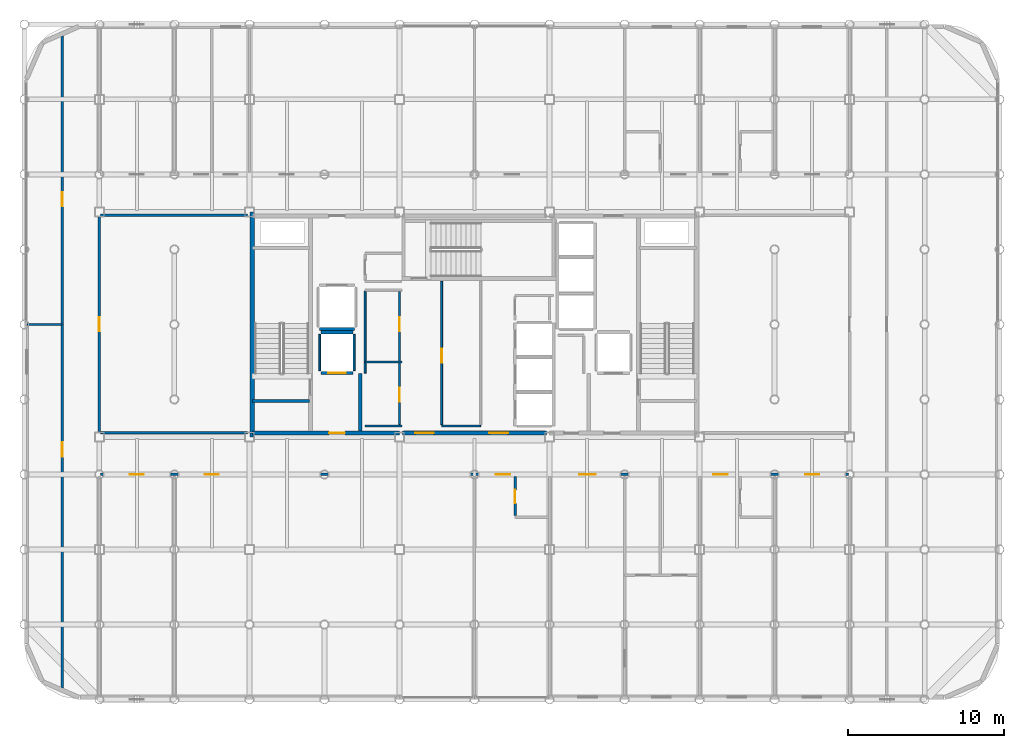
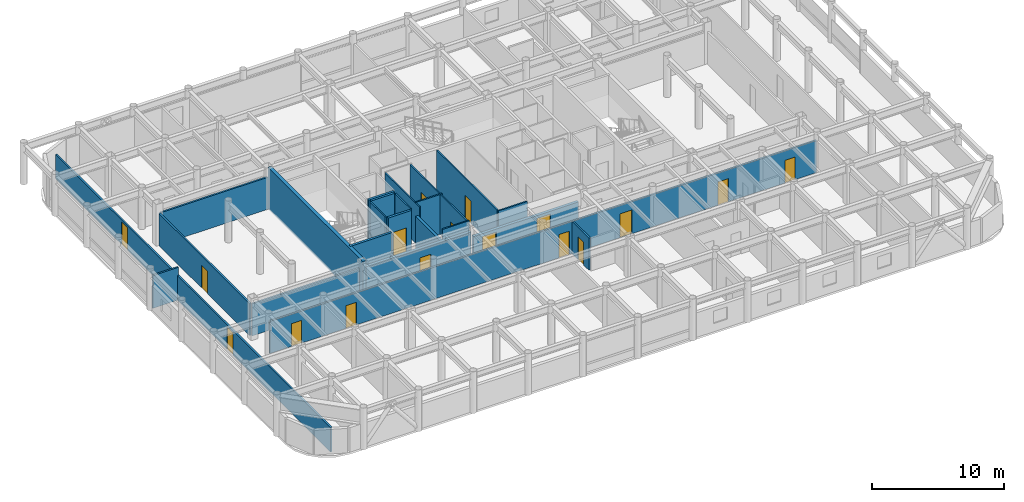
# One storey, part 17 of 22: 23 walls, 17 doors, 17 openings.
"""IFC4 building model written with IfcOpenShell, lengths in metres."""

from ifc_helpers import new_model, si_unit, direction, frame, frame_2d, origin, place, context, subcontext, project, spatial, rectangle, extrude, material, layer, layer_set, type_object, element, fill, save


model = new_model("IFC4")

# Units and contexts
model_context = context("Model", 3, precision=1e-05, world=origin(), true_north=direction((0.0, 1.0)))
body_context = subcontext(model_context, "Body", "Model", "MODEL_VIEW")
ifc_project = project(units=[si_unit("LENGTHUNIT", "METRE"), si_unit("AREAUNIT", "SQUARE_METRE"), si_unit("VOLUMEUNIT", "CUBIC_METRE"), si_unit("PLANEANGLEUNIT", "RADIAN"), si_unit("MASSUNIT", "GRAM", prefix="KILO")], contexts=[model_context])

# Site, building, storey
site_placement = place(None, origin())
site = spatial("IfcSite", under=ifc_project, at=site_placement, CompositionType="ELEMENT")
building_placement = place(site_placement, origin())
building = spatial("IfcBuilding", under=site, at=building_placement, Name="Kallvorn Hotel Tower", CompositionType="ELEMENT")
storey_placement = place(building_placement, frame((0.0, 0.0, 206.89990234375)))
storey = spatial("IfcBuildingStorey", under=building, at=storey_placement, Name="L51", CompositionType="ELEMENT", Elevation=206.89990234375)

# Wall
ifc_material_1 = material(Name="Concrete C50/60", Category="concrete")
ifc_layer_1 = layer(ifc_material_1, 0.300048828125)
ifc_layer_set_1 = layer_set([ifc_layer_1], Name="WL_CORE_300")
wall_type_1 = type_object("IfcWallType", Name="WL_CORE_300", PredefinedType="SHEAR", material=ifc_layer_set_1)
wall_1_placement = place(storey_placement, frame((-14.215087890625, -7.199951171875, -0.179931640625), z_axis=(0.0, 0.0, 1.0), x_axis=(0.0, 1.0, 0.0)))
element("IfcWall", 1, at=wall_1_placement, inside=storey, type_object=wall_type_1, Name="L51 Core West Shear Wall", PredefinedType="SHEAR", context=body_context, shape_type="SweptSolid", body=[
    extrude(rectangle(XDim=14.39990234375, YDim=0.300048828125, at=frame_2d((7.199951171875, 0.0))), origin(), (0.0, 0.0, 1.0), 3.85009765625),
])

# Wall, openings, doors
ifc_material_2 = material(Name="Fire-rated double-layer acoustic gypsum drywall EI 60")
ifc_layer_2 = layer(ifc_material_2, 0.159912109375)
ifc_layer_set_2 = layer_set([ifc_layer_2], Name="WL_DEMISE_160")
wall_type_2 = type_object("IfcWallType", Name="WL_DEMISE_160", PredefinedType="PARTITIONING", material=ifc_layer_set_2)
wall_2_placement = place(storey_placement, frame((-23.919921875, -9.60009765625, 0.0), z_axis=(0.0, 0.0, 1.0), x_axis=(1.0, 0.0, 0.0)))
wall_2 = element("IfcWall", 2, at=wall_2_placement, inside=storey, type_object=wall_type_2, Name="L51 Suite 5101 Deluxe King Room Partition", PredefinedType="PARTITIONING", context=body_context, shape_type="SweptSolid", body=[
    extrude(rectangle(XDim=47.83984375, YDim=0.159912109375, at=frame_2d((23.919921875, 0.0))), origin(), (0.0, 0.0, 1.0), 2.97021484375),
])
opening_1_placement = place(wall_2_placement, frame((1.8701171875, 0.0, 0.0)))
opening_1 = element("IfcOpeningElement", 3, at=opening_1_placement, cuts=wall_2, Name="Opening SVD1", PredefinedType="OPENING", context=body_context, shape_type="SweptSolid", body=[
    extrude(rectangle(XDim=0.89990234375, YDim=2.10009765625, at=frame_2d((0.449951171875, 1.050048828125))), frame((0.0, 0.094970703125, 0.0), z_axis=(0.0, -1.0, 0.0), x_axis=(1.0, 0.0, 0.0)), (0.0, 0.0, 1.0), 0.18994140625),
])
opening_2_placement = place(wall_2_placement, frame((45.070068359375, 0.0, 0.0)))
opening_2 = element("IfcOpeningElement", 4, at=opening_2_placement, cuts=wall_2, Name="Opening SVD1", PredefinedType="OPENING", context=body_context, shape_type="SweptSolid", body=[
    extrude(rectangle(XDim=0.89990234375, YDim=2.10009765625, at=frame_2d((0.449951171875, 1.050048828125))), frame((0.0, 0.094970703125, 0.0), z_axis=(0.0, -1.0, 0.0), x_axis=(1.0, 0.0, 0.0)), (0.0, 0.0, 1.0), 0.18994140625),
])
opening_3_placement = place(wall_2_placement, frame((6.669921875, 0.0, 0.0)))
opening_3 = element("IfcOpeningElement", 5, at=opening_3_placement, cuts=wall_2, Name="Opening SVD1", PredefinedType="OPENING", context=body_context, shape_type="SweptSolid", body=[
    extrude(rectangle(XDim=0.89990234375, YDim=2.10009765625, at=frame_2d((0.449951171875, 1.050048828125))), frame((0.0, 0.094970703125, 0.0), z_axis=(0.0, -1.0, 0.0), x_axis=(1.0, 0.0, 0.0)), (0.0, 0.0, 1.0), 0.18994140625),
])
opening_4_placement = place(wall_2_placement, frame((25.2900390625, 0.0, 0.0)))
opening_4 = element("IfcOpeningElement", 6, at=opening_4_placement, cuts=wall_2, Name="Opening GD1", PredefinedType="OPENING", context=body_context, shape_type="SweptSolid", body=[
    extrude(rectangle(XDim=0.919921875, YDim=2.14990234375, at=frame_2d((0.4599609375, 1.074951171875))), frame((0.0, 0.094970703125, 0.0), z_axis=(0.0, -1.0, 0.0), x_axis=(1.0, 0.0, 0.0)), (0.0, 0.0, 1.0), 0.18994140625),
])
opening_5_placement = place(wall_2_placement, frame((30.635009765625, 0.0, 0.0)))
opening_5 = element("IfcOpeningElement", 7, at=opening_5_placement, cuts=wall_2, Name="Opening GD2", PredefinedType="OPENING", context=body_context, shape_type="SweptSolid", body=[
    extrude(rectangle(XDim=1.050048828125, YDim=2.199951171875, at=frame_2d((0.52490234375, 1.10009765625))), frame((0.0, 0.094970703125, 0.0), z_axis=(0.0, -1.0, 0.0), x_axis=(1.0, 0.0, 0.0)), (0.0, 0.0, 1.0), 0.18994140625),
])
opening_6_placement = place(wall_2_placement, frame((39.195068359375, 0.0, 0.0)))
opening_6 = element("IfcOpeningElement", 8, at=opening_6_placement, cuts=wall_2, Name="Opening GD1", PredefinedType="OPENING", context=body_context, shape_type="SweptSolid", body=[
    extrude(rectangle(XDim=0.919921875, YDim=2.14990234375, at=frame_2d((0.4599609375, 1.074951171875))), frame((0.0, 0.094970703125, 0.0), z_axis=(0.0, -1.0, 0.0), x_axis=(1.0, 0.0, 0.0)), (0.0, 0.0, 1.0), 0.18994140625),
])
ifc_material_3 = material(Name="Solid-core walnut veneer fire-rated timber door leaf", Category="wood")
door_type_1 = type_object("IfcDoorType", Name="DR_GUEST_920x2150", OperationType="NOTDEFINED", PredefinedType="DOOR", material=ifc_material_3)
door_1_placement = place(opening_4_placement, origin())
door_1 = element("IfcDoor", 9, at=door_1_placement, inside=storey, type_object=door_type_1, Name="L51 Suite 5101 Deluxe King Room Door", OperationType="SINGLE_SWING_LEFT", OverallHeight=2.14990234375, OverallWidth=0.919921875, PredefinedType="DOOR", context=body_context, shape_type="SweptSolid", body=[
    extrude(rectangle(XDim=0.919921875, YDim=2.14990234375, at=frame_2d((0.4599609375, 1.074951171875))), frame((0.0, 0.02490234375, 0.0), z_axis=(0.0, -1.0, 0.0), x_axis=(1.0, 0.0, 0.0)), (0.0, 0.0, 1.0), 0.050048828125),
])
fill(opening_4, door_1)
door_2_placement = place(opening_6_placement, origin())
door_2 = element("IfcDoor", 10, at=door_2_placement, inside=storey, type_object=door_type_1, Name="L51 Suite 5103 Superior Twin Room Door", OperationType="SINGLE_SWING_RIGHT", OverallHeight=2.14990234375, OverallWidth=0.919921875, PredefinedType="DOOR", context=body_context, shape_type="SweptSolid", body=[
    extrude(rectangle(XDim=0.919921875, YDim=2.14990234375, at=frame_2d((0.4599609375, 1.074951171875))), frame((0.0, 0.02490234375, 0.0), z_axis=(0.0, -1.0, 0.0), x_axis=(1.0, 0.0, 0.0)), (0.0, 0.0, 1.0), 0.050048828125),
])
fill(opening_6, door_2)
ifc_material_4 = material(Name="Galvanised painted steel fire-rated door assembly", Category="steel")
door_type_2 = type_object("IfcDoorType", Name="DR_SERV_900x2100", OperationType="NOTDEFINED", PredefinedType="DOOR", material=ifc_material_4)
door_3_placement = place(opening_1_placement, origin())
door_3 = element("IfcDoor", 11, at=door_3_placement, inside=storey, type_object=door_type_2, Name="L51 L51 High-Zone South-West Tea Bar Door", OperationType="SINGLE_SWING_LEFT", OverallHeight=2.10009765625, OverallWidth=0.89990234375, PredefinedType="DOOR", context=body_context, shape_type="SweptSolid", body=[
    extrude(rectangle(XDim=0.89990234375, YDim=2.10009765625, at=frame_2d((0.449951171875, 1.050048828125))), frame((0.0, 0.02490234375, 0.0), z_axis=(0.0, -1.0, 0.0), x_axis=(1.0, 0.0, 0.0)), (0.0, 0.0, 1.0), 0.050048828125),
])
fill(opening_1, door_3)
door_4_placement = place(opening_2_placement, origin())
door_4 = element("IfcDoor", 12, at=door_4_placement, inside=storey, type_object=door_type_2, Name="L51 L51 High-Zone South-East Wine Bar Door", OperationType="SINGLE_SWING_LEFT", OverallHeight=2.10009765625, OverallWidth=0.89990234375, PredefinedType="DOOR", context=body_context, shape_type="SweptSolid", body=[
    extrude(rectangle(XDim=0.89990234375, YDim=2.10009765625, at=frame_2d((0.449951171875, 1.050048828125))), frame((0.0, 0.02490234375, 0.0), z_axis=(0.0, -1.0, 0.0), x_axis=(1.0, 0.0, 0.0)), (0.0, 0.0, 1.0), 0.050048828125),
])
fill(opening_2, door_4)
door_5_placement = place(opening_3_placement, origin())
door_5 = element("IfcDoor", 13, at=door_5_placement, inside=storey, type_object=door_type_2, Name="L51 L51 Executive Co-Working Open-Plan Office 1 Door", OperationType="SINGLE_SWING_RIGHT", OverallHeight=2.10009765625, OverallWidth=0.89990234375, PredefinedType="DOOR", context=body_context, shape_type="SweptSolid", body=[
    extrude(rectangle(XDim=0.89990234375, YDim=2.10009765625, at=frame_2d((0.449951171875, 1.050048828125))), frame((0.0, 0.02490234375, 0.0), z_axis=(0.0, -1.0, 0.0), x_axis=(1.0, 0.0, 0.0)), (0.0, 0.0, 1.0), 0.050048828125),
])
fill(opening_3, door_5)
ifc_material_5 = material(Name="Solid-core walnut veneer fire-rated timber door leaf", Category="wood")
door_type_3 = type_object("IfcDoorType", Name="DR_SUITE_1050x2200", OperationType="NOTDEFINED", PredefinedType="DOOR", material=ifc_material_5)
door_6_placement = place(opening_5_placement, origin())
door_6 = element("IfcDoor", 14, at=door_6_placement, inside=storey, type_object=door_type_3, Name="L51 Suite 5102 Executive Living Salon Door", OperationType="SINGLE_SWING_RIGHT", OverallHeight=2.199951171875, OverallWidth=1.050048828125, PredefinedType="DOOR", context=body_context, shape_type="SweptSolid", body=[
    extrude(rectangle(XDim=1.050048828125, YDim=2.199951171875, at=frame_2d((0.52490234375, 1.10009765625))), frame((0.0, 0.02490234375, 0.0), z_axis=(0.0, -1.0, 0.0), x_axis=(1.0, 0.0, 0.0)), (0.0, 0.0, 1.0), 0.050048828125),
])
fill(opening_5, door_6)

# Wall, opening, door
wall_3_placement = place(storey_placement, frame((2.59326171875, -12.235107421875, 0.0), z_axis=(0.0, 0.0, 1.0), x_axis=(0.0, 1.0, 0.0)))
wall_3 = element("IfcWall", 15, at=wall_3_placement, inside=storey, type_object=wall_type_2, Name="L51 Suite 5101 Deluxe King Room Partition", PredefinedType="PARTITIONING", context=body_context, shape_type="SweptSolid", body=[
    extrude(rectangle(XDim=2.51513671875, YDim=0.159912109375, at=frame_2d((1.257568359375, 0.0))), origin(), (0.0, 0.0, 1.0), 2.97021484375),
])
opening_7_placement = place(wall_3_placement, frame((0.784912109375, 0.0, 0.0)))
opening_7 = element("IfcOpeningElement", 16, at=opening_7_placement, cuts=wall_3, Name="Opening BD-I", PredefinedType="OPENING", context=body_context, shape_type="SweptSolid", body=[
    extrude(rectangle(XDim=0.860107421875, YDim=2.10009765625, at=frame_2d((0.43017578125, 1.050048828125))), frame((0.0, 0.094970703125, 0.0), z_axis=(0.0, -1.0, 0.0), x_axis=(1.0, 0.0, 0.0)), (0.0, 0.0, 1.0), 0.18994140625),
])
ifc_material_6 = material(Name="Solid-core walnut veneer fire-rated timber door leaf", Category="wood")
door_type_4 = type_object("IfcDoorType", Name="DR_BATH_860x2100", OperationType="NOTDEFINED", PredefinedType="DOOR", material=ifc_material_6)
door_7_placement = place(opening_7_placement, origin())
door_7 = element("IfcDoor", 17, at=door_7_placement, inside=storey, type_object=door_type_4, Name="L51 Suite 5101 En-Suite Bathroom Door", OperationType="SINGLE_SWING_RIGHT", OverallHeight=2.10009765625, OverallWidth=0.860107421875, PredefinedType="DOOR", context=body_context, shape_type="SweptSolid", body=[
    extrude(rectangle(XDim=0.860107421875, YDim=2.10009765625, at=frame_2d((0.43017578125, 1.050048828125))), frame((0.0, 0.02490234375, 0.0), z_axis=(0.0, -1.0, 0.0), x_axis=(1.0, 0.0, 0.0)), (0.0, 0.0, 1.0), 0.050048828125),
])
fill(opening_7, door_7)

# Walls
ifc_material_7 = material(Name="Concrete C40/50", Category="concrete")
ifc_layer_3 = layer(ifc_material_7, 0.219970703125)
ifc_layer_set_3 = layer_set([ifc_layer_3], Name="WL_FFL_220")
wall_type_3 = type_object("IfcWallType", Name="WL_FFL_220", PredefinedType="SOLIDWALL", material=ifc_layer_set_3)
wall_4_placement = place(storey_placement, frame((-7.300048828125, -6.820068359375, 0.0), z_axis=(0.0, 0.0, 1.0), x_axis=(0.0, 1.0, 0.0)))
element("IfcWall", 18, at=wall_4_placement, inside=storey, type_object=wall_type_3, Name="L51 Firefighting Lobby West Divider Wall", PredefinedType="SOLIDWALL", context=body_context, shape_type="SweptSolid", body=[
    extrude(rectangle(XDim=3.670166015625, YDim=0.219970703125, at=frame_2d((1.8349609375, 0.0))), origin(), (0.0, 0.0, 1.0), 2.97021484375),
])
ifc_material_8 = material(Name="Concrete C40/50", Category="concrete")
ifc_layer_4 = layer(ifc_material_8, 0.199951171875)
ifc_layer_set_4 = layer_set([ifc_layer_4], Name="WL_HOIST_200")
wall_type_4 = type_object("IfcWallType", Name="WL_HOIST_200", PredefinedType="SOLIDWALL", material=ifc_layer_set_4)
wall_5_placement = place(storey_placement, frame((-14.199951171875, -4.89990234375, -0.179931640625), z_axis=(0.0, 0.0, 1.0), x_axis=(1.0, 0.0, 0.0)))
element("IfcWall", 19, at=wall_5_placement, inside=storey, type_object=wall_type_4, Name="L51 Stair ST1 South Wall", PredefinedType="SOLIDWALL", context=body_context, shape_type="SweptSolid", body=[
    extrude(rectangle(XDim=3.64990234375, YDim=0.199951171875, at=frame_2d((1.824951171875, 0.0))), origin(), (0.0, 0.0, 1.0), 3.85009765625),
])

# Wall, opening, door
wall_6_placement = place(storey_placement, frame((-9.820068359375, -3.10009765625, 0.0), z_axis=(0.0, 0.0, 1.0), x_axis=(1.0, 0.0, 0.0)))
wall_6 = element("IfcWall", 20, at=wall_6_placement, inside=storey, type_object=wall_type_4, Name="L51 FL-1 Landing Wall", PredefinedType="SOLIDWALL", context=body_context, shape_type="SweptSolid", body=[
    extrude(rectangle(XDim=2.0400390625, YDim=0.199951171875, at=frame_2d((1.02001953125, 0.0))), origin(), (0.0, 0.0, 1.0), 3.670166015625),
])
opening_8_placement = place(wall_6_placement, frame((0.469970703125, 0.0, 0.0)))
opening_8 = element("IfcOpeningElement", 21, at=opening_8_placement, cuts=wall_6, Name="Opening LD-FL-1", PredefinedType="OPENING", context=body_context, shape_type="SweptSolid", body=[
    extrude(rectangle(XDim=1.10009765625, YDim=2.199951171875, at=frame_2d((0.550048828125, 1.10009765625))), frame((0.0, 0.114990234375, 0.0), z_axis=(0.0, -1.0, 0.0), x_axis=(1.0, 0.0, 0.0)), (0.0, 0.0, 1.0), 0.22998046875),
])
ifc_material_9 = material(Name="Brushed stainless-steel automatic sliding lift landing door", Category="steel")
door_type_5 = type_object("IfcDoorType", Name="LD_PASS_1100x2200", OperationType="SLIDING_TO_LEFT", PredefinedType="DOOR", material=ifc_material_9)
door_8_placement = place(opening_8_placement, origin())
door_8 = element("IfcDoor", 22, at=door_8_placement, inside=storey, type_object=door_type_5, Name="L51 Lift Landing Sliding Door LD-FL-1", OperationType="SLIDING_TO_LEFT", OverallHeight=2.199951171875, OverallWidth=1.10009765625, PredefinedType="DOOR", context=body_context, shape_type="SweptSolid", body=[
    extrude(rectangle(XDim=1.10009765625, YDim=2.199951171875, at=frame_2d((0.550048828125, 1.10009765625))), frame((0.0, 0.02490234375, 0.0), z_axis=(0.0, -1.0, 0.0), x_axis=(1.0, 0.0, 0.0)), (0.0, 0.0, 1.0), 0.050048828125),
])
fill(opening_8, door_8)

# Walls
wall_7_placement = place(storey_placement, frame((-9.820068359375, -0.5, 0.0), z_axis=(0.0, 0.0, 1.0), x_axis=(1.0, 0.0, 0.0)))
element("IfcWall", 23, at=wall_7_placement, inside=storey, type_object=wall_type_4, Name="L51 FL-1 Rear Shaft Wall", PredefinedType="SOLIDWALL", context=body_context, shape_type="SweptSolid", body=[
    extrude(rectangle(XDim=2.0400390625, YDim=0.199951171875, at=frame_2d((1.02001953125, 0.0))), origin(), (0.0, 0.0, 1.0), 3.670166015625),
])
wall_8_placement = place(storey_placement, frame((-9.919921875, -0.300048828125, 0.0), z_axis=(0.0, 0.0, 1.0), x_axis=(1.0, 0.0, 0.0)))
element("IfcWall", 24, at=wall_8_placement, inside=storey, type_object=wall_type_4, Name="L51 SV-01 Rear Shaft Wall", PredefinedType="SOLIDWALL", context=body_context, shape_type="SweptSolid", body=[
    extrude(rectangle(XDim=2.239990234375, YDim=0.199951171875, at=frame_2d((1.1201171875, 0.0))), origin(), (0.0, 0.0, 1.0), 3.670166015625),
])
ifc_material_10 = material(Name="Fire-rated double-layer acoustic gypsum drywall EI 60")
ifc_layer_5 = layer(ifc_material_10, 0.1201171875)
ifc_layer_set_5 = layer_set([ifc_layer_5], Name="WL_INT_120")
wall_type_5 = type_object("IfcWallType", Name="WL_INT_120", PredefinedType="PARTITIONING", material=ifc_layer_set_5)
for number, where, z_axis, x_axis, name in (
    (25, (-9.89990234375, -2.9599609375, 0.0), (0.0, 0.0, 1.0), (0.0, 1.0, 0.0), "L51 FL-1 West Shaft Wall"),
    (26, (-7.699951171875, -2.9599609375, 0.0), (0.0, 0.0, 1.0), (0.0, 1.0, 0.0), "L51 FL-1 East Shaft Wall"),
):
    element("IfcWall", number, at=place(storey_placement, frame(where, z_axis=z_axis, x_axis=x_axis)), inside=storey, type_object=wall_type_5, Name=name, PredefinedType="PARTITIONING", context=body_context, shape_type="SweptSolid", body=[
        extrude(rectangle(XDim=2.320068359375, YDim=0.1201171875, at=frame_2d((1.16015625, 0.0))), origin(), (0.0, 0.0, 1.0), 3.670166015625),
    ])
wall_9_placement = place(storey_placement, frame((-7.0, -6.5, 0.0), z_axis=(0.0, 0.0, 1.0), x_axis=(1.0, 0.0, 0.0)))
element("IfcWall", 27, at=wall_9_placement, inside=storey, type_object=wall_type_5, Name="L51 Recaptured South Minibar Pantry Partition", PredefinedType="PARTITIONING", context=body_context, shape_type="SweptSolid", body=[
    extrude(rectangle(XDim=2.35009765625, YDim=0.1201171875, at=frame_2d((1.175048828125, 0.0))), origin(), (0.0, 0.0, 1.0), 3.670166015625),
])
wall_10_placement = place(storey_placement, frame((-2.10009765625, -6.5, 0.0), z_axis=(0.0, 0.0, 1.0), x_axis=(1.0, 0.0, 0.0)))
element("IfcWall", 28, at=wall_10_placement, inside=storey, type_object=wall_type_5, Name="L51 Altitude Executive Pantry and Ice Room Partition", PredefinedType="PARTITIONING", context=body_context, shape_type="SweptSolid", body=[
    extrude(rectangle(XDim=2.5, YDim=0.1201171875, at=frame_2d((1.25, 0.0))), origin(), (0.0, 0.0, 1.0), 3.670166015625),
])
wall_11_placement = place(storey_placement, frame((-7.0, -2.39990234375, 0.0), z_axis=(0.0, 0.0, 1.0), x_axis=(1.0, 0.0, 0.0)))
element("IfcWall", 29, at=wall_11_placement, inside=storey, type_object=wall_type_5, Name="L51 Recaptured Central Linen Store Partition", PredefinedType="PARTITIONING", context=body_context, shape_type="SweptSolid", body=[
    extrude(rectangle(XDim=2.35009765625, YDim=0.1201171875, at=frame_2d((1.175048828125, 0.0))), origin(), (0.0, 0.0, 1.0), 3.670166015625),
])
wall_12_placement = place(storey_placement, frame((-7.0, -3.110107421875, 0.0), z_axis=(0.0, 0.0, 1.0), x_axis=(0.0, 1.0, 0.0)))
element("IfcWall", 30, at=wall_12_placement, inside=storey, type_object=wall_type_5, Name="L51 Recaptured South Minibar Pantry Partition", PredefinedType="PARTITIONING", context=body_context, shape_type="SweptSolid", body=[
    extrude(rectangle(XDim=5.22509765625, YDim=0.1201171875, at=frame_2d((2.612548828125, 0.0))), origin(), (0.0, 0.0, 1.0), 3.670166015625),
])

# Wall, openings, doors
wall_13_placement = place(storey_placement, frame((-4.800048828125, -6.4150390625, 0.0), z_axis=(0.0, 0.0, 1.0), x_axis=(0.0, 1.0, 0.0)))
wall_13 = element("IfcWall", 31, at=wall_13_placement, inside=storey, type_object=wall_type_5, Name="L51 Recaptured South Minibar Pantry Partition", PredefinedType="PARTITIONING", context=body_context, shape_type="SweptSolid", body=[
    extrude(rectangle(XDim=8.530029296875, YDim=0.1201171875, at=frame_2d((4.26513671875, 0.0))), origin(), (0.0, 0.0, 1.0), 3.670166015625),
])
opening_9_placement = place(wall_13_placement, frame((1.465087890625, 0.0, 0.0)))
opening_9 = element("IfcOpeningElement", 32, at=opening_9_placement, cuts=wall_13, Name="Opening SVD1", PredefinedType="OPENING", context=body_context, shape_type="SweptSolid", body=[
    extrude(rectangle(XDim=0.89990234375, YDim=2.10009765625, at=frame_2d((0.449951171875, 1.050048828125))), frame((0.0, 0.074951171875, 0.0), z_axis=(0.0, -1.0, 0.0), x_axis=(1.0, 0.0, 0.0)), (0.0, 0.0, 1.0), 0.150146484375),
])
opening_10_placement = place(wall_13_placement, frame((5.965087890625, 0.0, 0.0)))
opening_10 = element("IfcOpeningElement", 33, at=opening_10_placement, cuts=wall_13, Name="Opening SVD1", PredefinedType="OPENING", context=body_context, shape_type="SweptSolid", body=[
    extrude(rectangle(XDim=0.89990234375, YDim=2.10009765625, at=frame_2d((0.449951171875, 1.050048828125))), frame((0.0, 0.074951171875, 0.0), z_axis=(0.0, -1.0, 0.0), x_axis=(1.0, 0.0, 0.0)), (0.0, 0.0, 1.0), 0.150146484375),
])
door_9_placement = place(opening_9_placement, origin())
door_9 = element("IfcDoor", 34, at=door_9_placement, inside=storey, type_object=door_type_2, Name="L51 Recaptured South Minibar Pantry Door", OperationType="SINGLE_SWING_LEFT", OverallHeight=2.10009765625, OverallWidth=0.89990234375, PredefinedType="DOOR", context=body_context, shape_type="SweptSolid", body=[
    extrude(rectangle(XDim=0.89990234375, YDim=2.10009765625, at=frame_2d((0.449951171875, 1.050048828125))), frame((0.0, 0.02490234375, 0.0), z_axis=(0.0, -1.0, 0.0), x_axis=(1.0, 0.0, 0.0)), (0.0, 0.0, 1.0), 0.050048828125),
])
fill(opening_9, door_9)
door_10_placement = place(opening_10_placement, origin())
door_10 = element("IfcDoor", 35, at=door_10_placement, inside=storey, type_object=door_type_2, Name="L51 Recaptured Central Linen Store Door", OperationType="SINGLE_SWING_LEFT", OverallHeight=2.10009765625, OverallWidth=0.89990234375, PredefinedType="DOOR", context=body_context, shape_type="SweptSolid", body=[
    extrude(rectangle(XDim=0.89990234375, YDim=2.10009765625, at=frame_2d((0.449951171875, 1.050048828125))), frame((0.0, 0.02490234375, 0.0), z_axis=(0.0, -1.0, 0.0), x_axis=(1.0, 0.0, 0.0)), (0.0, 0.0, 1.0), 0.050048828125),
])
fill(opening_10, door_10)

# Wall, opening, door
wall_14_placement = place(storey_placement, frame((-2.10009765625, -6.4150390625, 0.0), z_axis=(0.0, 0.0, 1.0), x_axis=(0.0, 1.0, 0.0)))
wall_14 = element("IfcWall", 36, at=wall_14_placement, inside=storey, type_object=wall_type_5, Name="L51 Altitude Executive Pantry and Ice Room Partition", PredefinedType="PARTITIONING", context=body_context, shape_type="SweptSolid", body=[
    extrude(rectangle(XDim=9.1650390625, YDim=0.1201171875, at=frame_2d((4.58251953125, 0.0))), origin(), (0.0, 0.0, 1.0), 3.670166015625),
])
opening_11_placement = place(wall_14_placement, frame((3.965087890625, 0.0, 0.0)))
opening_11 = element("IfcOpeningElement", 37, at=opening_11_placement, cuts=wall_14, Name="Opening SVD1", PredefinedType="OPENING", context=body_context, shape_type="SweptSolid", body=[
    extrude(rectangle(XDim=0.89990234375, YDim=2.10009765625, at=frame_2d((0.449951171875, 1.050048828125))), frame((0.0, 0.074951171875, 0.0), z_axis=(0.0, -1.0, 0.0), x_axis=(1.0, 0.0, 0.0)), (0.0, 0.0, 1.0), 0.150146484375),
])
door_11_placement = place(opening_11_placement, origin())
door_11 = element("IfcDoor", 38, at=door_11_placement, inside=storey, type_object=door_type_2, Name="L51 Altitude Executive Pantry and Ice Room Door", OperationType="SINGLE_SWING_LEFT", OverallHeight=2.10009765625, OverallWidth=0.89990234375, PredefinedType="DOOR", context=body_context, shape_type="SweptSolid", body=[
    extrude(rectangle(XDim=0.89990234375, YDim=2.10009765625, at=frame_2d((0.449951171875, 1.050048828125))), frame((0.0, 0.02490234375, 0.0), z_axis=(0.0, -1.0, 0.0), x_axis=(1.0, 0.0, 0.0)), (0.0, 0.0, 1.0), 0.050048828125),
])
fill(opening_11, door_11)

# Walls
ifc_material_11 = material(Name="Fire-rated double-layer acoustic gypsum drywall EI 60")
ifc_layer_6 = layer(ifc_material_11, 0.14990234375)
ifc_layer_set_6 = layer_set([ifc_layer_6], Name="WL_PART_150")
wall_type_6 = type_object("IfcWallType", Name="WL_PART_150", PredefinedType="PARTITIONING", material=ifc_layer_set_6)
wall_15_placement = place(storey_placement, frame((-23.919921875, -6.919921875, 0.0), z_axis=(0.0, 0.0, 1.0), x_axis=(1.0, 0.0, 0.0)))
element("IfcWall", 39, at=wall_15_placement, inside=storey, type_object=wall_type_6, Name="L51 L51 High-Zone Inner West Club Bar Partition", PredefinedType="PARTITIONING", context=body_context, shape_type="SweptSolid", body=[
    extrude(rectangle(XDim=9.39990234375, YDim=0.14990234375, at=frame_2d((4.699951171875, 0.0))), origin(), (0.0, 0.0, 1.0), 2.97021484375),
])
wall_16_placement = place(storey_placement, frame((-28.6298828125, 0.0, 0.0), z_axis=(0.0, 0.0, 1.0), x_axis=(1.0, 0.0, 0.0)))
element("IfcWall", 40, at=wall_16_placement, inside=storey, type_object=wall_type_6, Name="L51 L51 Outer West North Fitness Club Partition", PredefinedType="PARTITIONING", context=body_context, shape_type="SweptSolid", body=[
    extrude(rectangle(XDim=2.25, YDim=0.14990234375, at=frame_2d((1.125, 0.0))), origin(), (0.0, 0.0, 1.0), 3.02001953125),
])
wall_17_placement = place(storey_placement, frame((-23.919921875, 6.97998046875, 0.0), z_axis=(0.0, 0.0, 1.0), x_axis=(1.0, 0.0, 0.0)))
element("IfcWall", 41, at=wall_17_placement, inside=storey, type_object=wall_type_6, Name="L51 L51 High-Zone Inner West Club Bar Partition", PredefinedType="PARTITIONING", context=body_context, shape_type="SweptSolid", body=[
    extrude(rectangle(XDim=9.39990234375, YDim=0.14990234375, at=frame_2d((4.699951171875, 0.0))), origin(), (0.0, 0.0, 1.0), 2.97021484375),
])

# Wall, openings, doors
wall_18_placement = place(storey_placement, frame((-26.3798828125, -23.247314453125, 0.0), z_axis=(0.0, 0.0, 1.0), x_axis=(0.0, 1.0, 0.0)))
wall_18 = element("IfcWall", 42, at=wall_18_placement, inside=storey, type_object=wall_type_6, Name="L51 L51 Outer West South Cocktail Bar Partition", PredefinedType="PARTITIONING", context=body_context, shape_type="SweptSolid", body=[
    extrude(rectangle(XDim=41.694580078125, YDim=0.14990234375, at=frame_2d((20.84716796875, 0.0))), origin(), (0.0, 0.0, 1.0), 2.27001953125),
])
opening_12_placement = place(wall_18_placement, frame((14.79736328125, 0.0, 0.0)))
opening_12 = element("IfcOpeningElement", 43, at=opening_12_placement, cuts=wall_18, Name="Opening SVD1", PredefinedType="OPENING", context=body_context, shape_type="SweptSolid", body=[
    extrude(rectangle(XDim=0.89990234375, YDim=2.10009765625, at=frame_2d((0.449951171875, 1.050048828125))), frame((0.0, 0.08984375, 0.0), z_axis=(0.0, -1.0, 0.0), x_axis=(1.0, 0.0, 0.0)), (0.0, 0.0, 1.0), 0.179931640625),
])
opening_13_placement = place(wall_18_placement, frame((30.79736328125, 0.0, 0.0)))
opening_13 = element("IfcOpeningElement", 44, at=opening_13_placement, cuts=wall_18, Name="Opening SVD1", PredefinedType="OPENING", context=body_context, shape_type="SweptSolid", body=[
    extrude(rectangle(XDim=0.89990234375, YDim=2.10009765625, at=frame_2d((0.449951171875, 1.050048828125))), frame((0.0, 0.08984375, 0.0), z_axis=(0.0, -1.0, 0.0), x_axis=(1.0, 0.0, 0.0)), (0.0, 0.0, 1.0), 0.179931640625),
])
door_12_placement = place(opening_12_placement, origin())
door_12 = element("IfcDoor", 45, at=door_12_placement, inside=storey, type_object=door_type_2, Name="L51 L51 Outer West South Cocktail Bar Door", OperationType="SINGLE_SWING_LEFT", OverallHeight=2.10009765625, OverallWidth=0.89990234375, PredefinedType="DOOR", context=body_context, shape_type="SweptSolid", body=[
    extrude(rectangle(XDim=0.89990234375, YDim=2.10009765625, at=frame_2d((0.449951171875, 1.050048828125))), frame((0.0, 0.02490234375, 0.0), z_axis=(0.0, -1.0, 0.0), x_axis=(1.0, 0.0, 0.0)), (0.0, 0.0, 1.0), 0.050048828125),
])
fill(opening_12, door_12)
door_13_placement = place(opening_13_placement, origin())
door_13 = element("IfcDoor", 46, at=door_13_placement, inside=storey, type_object=door_type_2, Name="L51 L51 Outer West North Fitness Club Door", OperationType="SINGLE_SWING_RIGHT", OverallHeight=2.10009765625, OverallWidth=0.89990234375, PredefinedType="DOOR", context=body_context, shape_type="SweptSolid", body=[
    extrude(rectangle(XDim=0.89990234375, YDim=2.10009765625, at=frame_2d((0.449951171875, 1.050048828125))), frame((0.0, 0.02490234375, 0.0), z_axis=(0.0, -1.0, 0.0), x_axis=(1.0, 0.0, 0.0)), (0.0, 0.0, 1.0), 0.050048828125),
])
fill(opening_13, door_13)

# Wall, opening, door
wall_19_placement = place(storey_placement, frame((-24.0, -6.8349609375, 0.0), z_axis=(0.0, 0.0, 1.0), x_axis=(0.0, 1.0, 0.0)))
wall_19 = element("IfcWall", 47, at=wall_19_placement, inside=storey, type_object=wall_type_6, Name="L51 L51 High-Zone Inner West Club Bar Partition", PredefinedType="PARTITIONING", context=body_context, shape_type="SweptSolid", body=[
    extrude(rectangle(XDim=13.72998046875, YDim=0.14990234375, at=frame_2d((6.864990234375, 0.0))), origin(), (0.0, 0.0, 1.0), 2.97021484375),
])
opening_14_placement = place(wall_19_placement, frame((6.385009765625, 0.0, 0.0)))
opening_14 = element("IfcOpeningElement", 48, at=opening_14_placement, cuts=wall_19, Name="Opening SVD1", PredefinedType="OPENING", context=body_context, shape_type="SweptSolid", body=[
    extrude(rectangle(XDim=0.89990234375, YDim=2.10009765625, at=frame_2d((0.449951171875, 1.050048828125))), frame((0.0, 0.08984375, 0.0), z_axis=(0.0, -1.0, 0.0), x_axis=(1.0, 0.0, 0.0)), (0.0, 0.0, 1.0), 0.179931640625),
])
door_14_placement = place(opening_14_placement, origin())
door_14 = element("IfcDoor", 49, at=door_14_placement, inside=storey, type_object=door_type_2, Name="L51 L51 High-Zone Inner West Club Bar Door", OperationType="SINGLE_SWING_RIGHT", OverallHeight=2.10009765625, OverallWidth=0.89990234375, PredefinedType="DOOR", context=body_context, shape_type="SweptSolid", body=[
    extrude(rectangle(XDim=0.89990234375, YDim=2.10009765625, at=frame_2d((0.449951171875, 1.050048828125))), frame((0.0, 0.02490234375, 0.0), z_axis=(0.0, -1.0, 0.0), x_axis=(1.0, 0.0, 0.0)), (0.0, 0.0, 1.0), 0.050048828125),
])
fill(opening_14, door_14)

ifc_material_12 = material(Name="Concrete C40/50", Category="concrete")
ifc_layer_7 = layer(ifc_material_12, 0.25)
ifc_layer_set_7 = layer_set([ifc_layer_7], Name="WL_SHAFT_250")
wall_type_7 = type_object("IfcWallType", Name="WL_SHAFT_250", PredefinedType="SOLIDWALL", material=ifc_layer_set_7)
wall_20_placement = place(storey_placement, frame((-14.199951171875, -6.949951171875, 0.0), z_axis=(0.0, 0.0, 1.0), x_axis=(1.0, 0.0, 0.0)))
wall_20 = element("IfcWall", 50, at=wall_20_placement, inside=storey, type_object=wall_type_7, Name="L51 Core South-West Wall", PredefinedType="SOLIDWALL", context=body_context, shape_type="SweptSolid", body=[
    extrude(rectangle(XDim=9.39990234375, YDim=0.25, at=frame_2d((4.699951171875, 0.0))), origin(), (0.0, 0.0, 1.0), 2.97021484375),
])
opening_15_placement = place(wall_20_placement, frame((4.89990234375, 0.0, 0.0)))
opening_15 = element("IfcOpeningElement", 51, at=opening_15_placement, cuts=wall_20, Name="Opening FD1", PredefinedType="OPENING", context=body_context, shape_type="SweptSolid", body=[
    extrude(rectangle(XDim=1.0, YDim=2.14990234375, at=frame_2d((0.5, 1.074951171875))), frame((0.0, 0.139892578125, 0.0), z_axis=(0.0, -1.0, 0.0), x_axis=(1.0, 0.0, 0.0)), (0.0, 0.0, 1.0), 0.280029296875),
])
ifc_material_13 = material(Name="Galvanised painted steel fire-rated door assembly", Category="steel")
door_type_6 = type_object("IfcDoorType", Name="DR_FFL_1000x2150", OperationType="NOTDEFINED", PredefinedType="DOOR", material=ifc_material_13)
door_15_placement = place(opening_15_placement, origin())
door_15 = element("IfcDoor", 52, at=door_15_placement, inside=storey, type_object=door_type_6, Name="L51 Firefighting Lobby West Door", OperationType="SINGLE_SWING_RIGHT", OverallHeight=2.14990234375, OverallWidth=1.0, PredefinedType="DOOR", context=body_context, shape_type="SweptSolid", body=[
    extrude(rectangle(XDim=1.0, YDim=2.14990234375, at=frame_2d((0.5, 1.074951171875))), frame((0.0, 0.02490234375, 0.0), z_axis=(0.0, -1.0, 0.0), x_axis=(1.0, 0.0, 0.0)), (0.0, 0.0, 1.0), 0.050048828125),
])
fill(opening_15, door_15)

# Wall, openings, doors
wall_21_placement = place(storey_placement, frame((-4.60009765625, -6.949951171875, 0.0), z_axis=(0.0, 0.0, 1.0), x_axis=(1.0, 0.0, 0.0)))
wall_21 = element("IfcWall", 53, at=wall_21_placement, inside=storey, type_object=wall_type_7, Name="L51 Core South-Central Wall", PredefinedType="SOLIDWALL", context=body_context, shape_type="SweptSolid", body=[
    extrude(rectangle(XDim=9.2001953125, YDim=0.25, at=frame_2d((4.60009765625, 0.0))), origin(), (0.0, 0.0, 1.0), 2.47021484375),
])
opening_16_placement = place(wall_21_placement, frame((0.800048828125, 0.0, 0.0)))
opening_16 = element("IfcOpeningElement", 54, at=opening_16_placement, cuts=wall_21, Name="Opening FD2", PredefinedType="OPENING", context=body_context, shape_type="SweptSolid", body=[
    extrude(rectangle(XDim=1.199951171875, YDim=2.199951171875, at=frame_2d((0.60009765625, 1.10009765625))), frame((0.0, 0.139892578125, 0.0), z_axis=(0.0, -1.0, 0.0), x_axis=(1.0, 0.0, 0.0)), (0.0, 0.0, 1.0), 0.280029296875),
])
opening_17_placement = place(wall_21_placement, frame((5.550048828125, 0.0, 0.0)))
opening_17 = element("IfcOpeningElement", 55, at=opening_17_placement, cuts=wall_21, Name="Opening FD2", PredefinedType="OPENING", context=body_context, shape_type="SweptSolid", body=[
    extrude(rectangle(XDim=1.199951171875, YDim=2.199951171875, at=frame_2d((0.60009765625, 1.10009765625))), frame((0.0, 0.139892578125, 0.0), z_axis=(0.0, -1.0, 0.0), x_axis=(1.0, 0.0, 0.0)), (0.0, 0.0, 1.0), 0.280029296875),
])
ifc_material_14 = material(Name="Galvanised painted steel fire-rated door assembly", Category="steel")
door_type_7 = type_object("IfcDoorType", Name="DR_LOBBY_1200x2200", OperationType="DOUBLE_DOOR_SINGLE_SWING", PredefinedType="DOOR", material=ifc_material_14)
door_16_placement = place(opening_16_placement, origin())
door_16 = element("IfcDoor", 56, at=door_16_placement, inside=storey, type_object=door_type_7, Name="L51 West Passenger Lift Lobby Door", OperationType="DOUBLE_DOOR_SINGLE_SWING", OverallHeight=2.199951171875, OverallWidth=1.199951171875, PredefinedType="DOOR", context=body_context, shape_type="SweptSolid", body=[
    extrude(rectangle(XDim=1.199951171875, YDim=2.199951171875, at=frame_2d((0.60009765625, 1.10009765625))), frame((0.0, 0.02490234375, 0.0), z_axis=(0.0, -1.0, 0.0), x_axis=(1.0, 0.0, 0.0)), (0.0, 0.0, 1.0), 0.050048828125),
])
fill(opening_16, door_16)
door_17_placement = place(opening_17_placement, origin())
door_17 = element("IfcDoor", 57, at=door_17_placement, inside=storey, type_object=door_type_7, Name="L51 East Passenger Lift Lobby Door", OperationType="DOUBLE_DOOR_SINGLE_SWING", OverallHeight=2.199951171875, OverallWidth=1.199951171875, PredefinedType="DOOR", context=body_context, shape_type="SweptSolid", body=[
    extrude(rectangle(XDim=1.199951171875, YDim=2.199951171875, at=frame_2d((0.60009765625, 1.10009765625))), frame((0.0, 0.02490234375, 0.0), z_axis=(0.0, -1.0, 0.0), x_axis=(1.0, 0.0, 0.0)), (0.0, 0.0, 1.0), 0.050048828125),
])
fill(opening_17, door_17)

save(model, "model.ifc")
